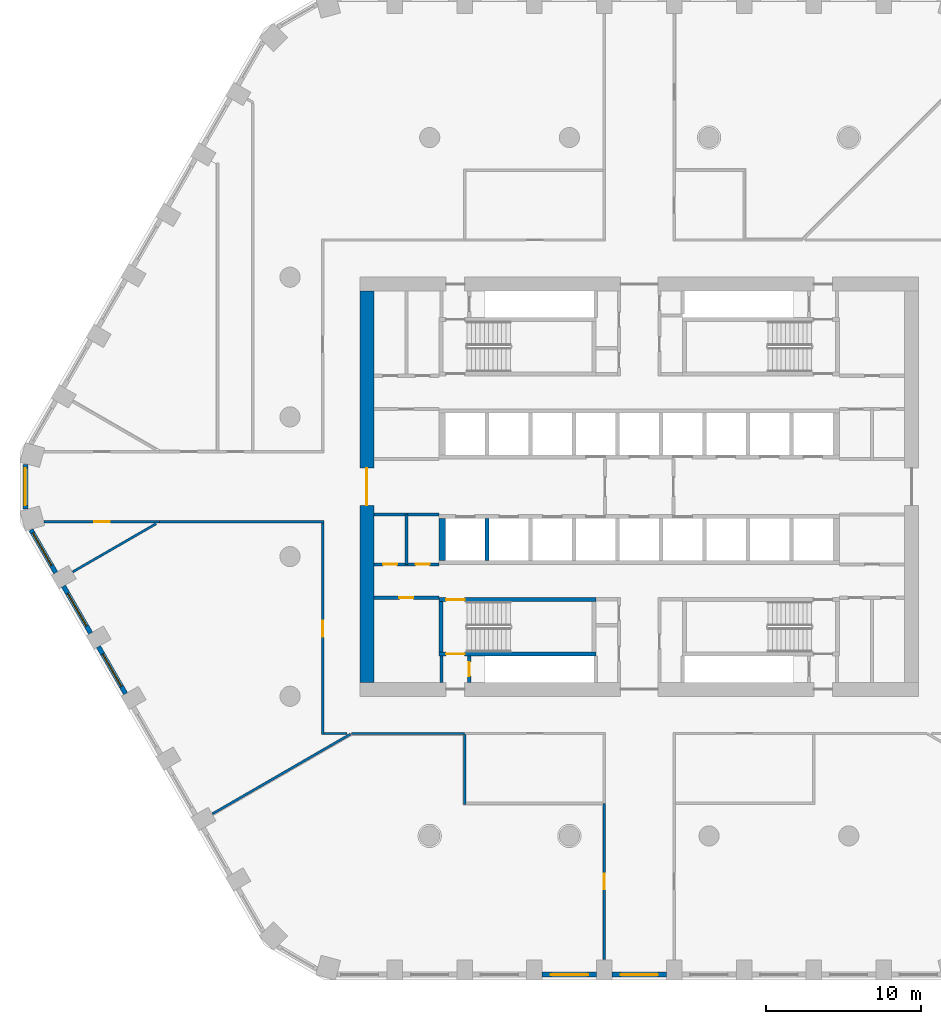
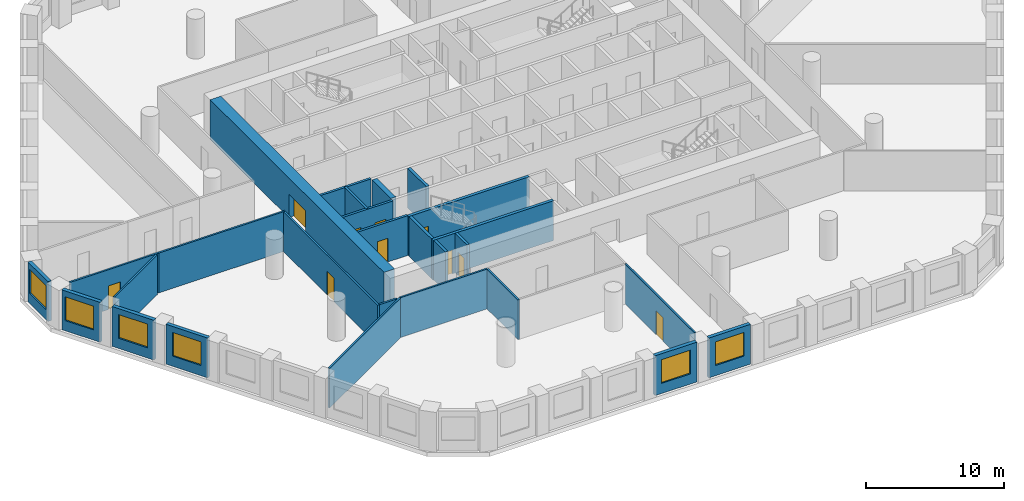
# One storey, part 2 of 14: 27 walls, 10 doors, 6 windows, 16 openings.
"""IFC4 building model written with IfcOpenShell, lengths in metres."""

from ifc_helpers import new_model, si_unit, direction, frame, frame_2d, origin, place, context, subcontext, project, spatial, polyline, rectangle, outline, extrude, material, layer, layer_set, type_object, element, fill, save


model = new_model("IFC4")

# Units and contexts
model_context = context("Model", 3, precision=1e-05, world=origin(), true_north=direction((0.0, 1.0)))
body_context = subcontext(model_context, "Body", "Model", "MODEL_VIEW")
ifc_project = project(units=[si_unit("LENGTHUNIT", "METRE"), si_unit("AREAUNIT", "SQUARE_METRE"), si_unit("VOLUMEUNIT", "CUBIC_METRE"), si_unit("PLANEANGLEUNIT", "RADIAN"), si_unit("MASSUNIT", "GRAM", prefix="KILO")], contexts=[model_context])

# Site, building, storey
site_placement = place(None, origin())
site = spatial("IfcSite", under=ifc_project, at=site_placement, CompositionType="ELEMENT")
building_placement = place(site_placement, origin())
building = spatial("IfcBuilding", under=site, at=building_placement, Name="Dhurran Vertical Campus", CompositionType="ELEMENT")
storey_placement = place(building_placement, frame((0.0, 0.0, 93.0)))
storey = spatial("IfcBuildingStorey", under=building, at=storey_placement, Name="L22", CompositionType="ELEMENT", Elevation=93.0)

# Wall, opening, window
ifc_material_1 = material(Name="Precast concrete C50/60", Category="concrete")
ifc_layer_1 = layer(ifc_material_1, 0.300048828125)
ifc_layer_set_1 = layer_set([ifc_layer_1], Name="Precast concrete C50/60")
wall_type_1 = type_object("IfcWallType", Name="Precast spandrel wall 300", PredefinedType="SOLIDWALL", material=ifc_layer_set_1)
wall_1_placement = place(storey_placement, frame((-6.24951171875, -31.4296875, 0.0), z_axis=(0.0, 0.0, 1.0), x_axis=(1.0, 0.0, 0.0)))
wall_1 = element("IfcWall", 1, at=wall_1_placement, inside=storey, type_object=wall_type_1, Name="EW1 L22.03", PredefinedType="SOLIDWALL", context=body_context, shape_type="SweptSolid", body=[
    extrude(rectangle(XDim=3.4990234375, YDim=0.300048828125, at=frame_2d((1.74951171875, 0.0))), origin(), (0.0, 0.0, 1.0), 3.52490234375),
])
opening_1_placement = place(wall_1_placement, frame((0.549560546875, 0.0, 0.89990234375)))
opening_1 = element("IfcOpeningElement", 2, at=opening_1_placement, cuts=wall_1, Name="Opening WT1", PredefinedType="OPENING", context=body_context, shape_type="SweptSolid", body=[
    extrude(rectangle(XDim=2.39990234375, YDim=2.10009765625, at=frame_2d((1.199951171875, 1.050048828125))), frame((0.0, 0.159912109375, 0.0), z_axis=(0.0, -1.0, 0.0), x_axis=(1.0, 0.0, 0.0)), (0.0, 0.0, 1.0), 0.320068359375),
])
ifc_material_2 = material(Name="Aluminium frame with solar-control glass", Category="aluminium")
window_type = type_object("IfcWindowType", Name="Punched window 2400 x 2100", PartitioningType="SINGLE_PANEL", PredefinedType="WINDOW", material=ifc_material_2)
window_1_placement = place(opening_1_placement, origin())
window_1 = element("IfcWindow", 3, at=window_1_placement, inside=storey, type_object=window_type, Name="WT1 L22.03", OverallHeight=2.10009765625, OverallWidth=2.39990234375, PartitioningType="SINGLE_PANEL", PredefinedType="WINDOW", context=body_context, shape_type="SweptSolid", body=[
    extrude(rectangle(XDim=2.39990234375, YDim=2.10009765625, at=frame_2d((1.199951171875, 1.050048828125))), frame((0.0, 0.030029296875, 0.0), z_axis=(0.0, -1.0, 0.0), x_axis=(1.0, 0.0, 0.0)), (0.0, 0.0, 1.0), 0.06005859375),
])
fill(opening_1, window_1)

wall_2_placement = place(storey_placement, frame((-1.74951171875, -31.4296875, 0.0), z_axis=(0.0, 0.0, 1.0), x_axis=(1.0, 0.0, 0.0)))
wall_2 = element("IfcWall", 4, at=wall_2_placement, inside=storey, type_object=wall_type_1, Name="EW1 L22.04", PredefinedType="SOLIDWALL", context=body_context, shape_type="SweptSolid", body=[
    extrude(rectangle(XDim=3.4990234375, YDim=0.300048828125, at=frame_2d((1.74951171875, 0.0))), origin(), (0.0, 0.0, 1.0), 3.52490234375),
])
opening_2_placement = place(wall_2_placement, frame((0.549560546875, 0.0, 0.89990234375)))
opening_2 = element("IfcOpeningElement", 5, at=opening_2_placement, cuts=wall_2, Name="Opening WT1", PredefinedType="OPENING", context=body_context, shape_type="SweptSolid", body=[
    extrude(rectangle(XDim=2.39990234375, YDim=2.10009765625, at=frame_2d((1.199951171875, 1.050048828125))), frame((0.0, 0.159912109375, 0.0), z_axis=(0.0, -1.0, 0.0), x_axis=(1.0, 0.0, 0.0)), (0.0, 0.0, 1.0), 0.320068359375),
])
window_2_placement = place(opening_2_placement, origin())
window_2 = element("IfcWindow", 6, at=window_2_placement, inside=storey, type_object=window_type, Name="WT1 L22.04", OverallHeight=2.10009765625, OverallWidth=2.39990234375, PartitioningType="SINGLE_PANEL", PredefinedType="WINDOW", context=body_context, shape_type="SweptSolid", body=[
    extrude(rectangle(XDim=2.39990234375, YDim=2.10009765625, at=frame_2d((1.199951171875, 1.050048828125))), frame((0.0, 0.030029296875, 0.0), z_axis=(0.0, -1.0, 0.0), x_axis=(1.0, 0.0, 0.0)), (0.0, 0.0, 1.0), 0.06005859375),
])
fill(opening_2, window_2)

wall_3_placement = place(storey_placement, frame((-39.547119140625, 1.44287109375, 0.0), z_axis=(0.0, 0.0, 1.0), x_axis=(0.0, -1.0, 0.0)))
wall_3 = element("IfcWall", 7, at=wall_3_placement, inside=storey, type_object=wall_type_1, Name="EW1 L22.43", PredefinedType="SOLIDWALL", context=body_context, shape_type="SweptSolid", body=[
    extrude(rectangle(XDim=2.8857421875, YDim=0.300048828125, at=frame_2d((1.44287109375, 0.0))), origin(), (0.0, 0.0, 1.0), 3.52490234375),
])
opening_3_placement = place(wall_3_placement, frame((0.242919921875, 0.0, 0.89990234375)))
opening_3 = element("IfcOpeningElement", 8, at=opening_3_placement, cuts=wall_3, Name="Opening WT1", PredefinedType="OPENING", context=body_context, shape_type="SweptSolid", body=[
    extrude(rectangle(XDim=2.39990234375, YDim=2.10009765625, at=frame_2d((1.199951171875, 1.050048828125))), frame((0.0, 0.159912109375, 0.0), z_axis=(0.0, -1.0, 0.0), x_axis=(1.0, 0.0, 0.0)), (0.0, 0.0, 1.0), 0.320068359375),
])
window_3_placement = place(opening_3_placement, origin())
window_3 = element("IfcWindow", 9, at=window_3_placement, inside=storey, type_object=window_type, Name="WT1 L22.43", OverallHeight=2.10009765625, OverallWidth=2.39990234375, PartitioningType="SINGLE_PANEL", PredefinedType="WINDOW", context=body_context, shape_type="SweptSolid", body=[
    extrude(rectangle(XDim=2.39990234375, YDim=2.10009765625, at=frame_2d((1.199951171875, 1.050048828125))), frame((0.0, 0.030029296875, 0.0), z_axis=(0.0, -1.0, 0.0), x_axis=(1.0, 0.0, 0.0)), (0.0, 0.0, 1.0), 0.06005859375),
])
fill(opening_3, window_3)

wall_4_placement = place(storey_placement, frame((-39.1904296875, -2.774169921875, 0.0), z_axis=(0.0, 0.0, 1.0), x_axis=(0.500004907028, -0.866022570692, 0.0)))
wall_4 = element("IfcWall", 10, at=wall_4_placement, inside=storey, type_object=wall_type_1, Name="EW1 L22.44", PredefinedType="SOLIDWALL", context=body_context, shape_type="SweptSolid", body=[
    extrude(rectangle(XDim=3.1923828125, YDim=0.300048828125, at=frame_2d((1.59619140625, 0.0))), origin(), (0.0, 0.0, 1.0), 3.52490234375),
])
opening_4_placement = place(wall_4_placement, frame((0.242919921875, 0.0, 0.89990234375)))
opening_4 = element("IfcOpeningElement", 11, at=opening_4_placement, cuts=wall_4, Name="Opening WT1", PredefinedType="OPENING", context=body_context, shape_type="SweptSolid", body=[
    extrude(rectangle(XDim=2.39990234375, YDim=2.10009765625, at=frame_2d((1.199951171875, 1.050048828125))), frame((0.0, 0.159912109375, 0.0), z_axis=(0.0, -1.0, 0.0), x_axis=(1.0, 0.0, 0.0)), (0.0, 0.0, 1.0), 0.320068359375),
])
window_4_placement = place(opening_4_placement, origin())
window_4 = element("IfcWindow", 12, at=window_4_placement, inside=storey, type_object=window_type, Name="WT1 L22.44", OverallHeight=2.10009765625, OverallWidth=2.39990234375, PartitioningType="SINGLE_PANEL", PredefinedType="WINDOW", context=body_context, shape_type="SweptSolid", body=[
    extrude(rectangle(XDim=2.39990234375, YDim=2.10009765625, at=frame_2d((1.199951171875, 1.050048828125))), frame((0.0, 0.030029296875, 0.0), z_axis=(0.0, -1.0, 0.0), x_axis=(1.0, 0.0, 0.0)), (0.0, 0.0, 1.0), 0.06005859375),
])
fill(opening_4, window_4)

wall_5_placement = place(storey_placement, frame((-37.09375, -6.405517578125, 0.0), z_axis=(0.0, 0.0, 1.0), x_axis=(0.499996256241, -0.866027565234, 0.0)))
wall_5 = element("IfcWall", 13, at=wall_5_placement, inside=storey, type_object=wall_type_1, Name="EW1 L22.45", PredefinedType="SOLIDWALL", context=body_context, shape_type="SweptSolid", body=[
    extrude(rectangle(XDim=3.4990234375, YDim=0.300048828125, at=frame_2d((1.74951171875, 0.0))), origin(), (0.0, 0.0, 1.0), 3.52490234375),
])
opening_5_placement = place(wall_5_placement, frame((0.549560546875, 0.0, 0.89990234375)))
opening_5 = element("IfcOpeningElement", 14, at=opening_5_placement, cuts=wall_5, Name="Opening WT1", PredefinedType="OPENING", context=body_context, shape_type="SweptSolid", body=[
    extrude(rectangle(XDim=2.39990234375, YDim=2.10009765625, at=frame_2d((1.199951171875, 1.050048828125))), frame((0.0, 0.159912109375, 0.0), z_axis=(0.0, -1.0, 0.0), x_axis=(1.0, 0.0, 0.0)), (0.0, 0.0, 1.0), 0.320068359375),
])
window_5_placement = place(opening_5_placement, origin())
window_5 = element("IfcWindow", 15, at=window_5_placement, inside=storey, type_object=window_type, Name="WT1 L22.45", OverallHeight=2.10009765625, OverallWidth=2.39990234375, PartitioningType="SINGLE_PANEL", PredefinedType="WINDOW", context=body_context, shape_type="SweptSolid", body=[
    extrude(rectangle(XDim=2.39990234375, YDim=2.10009765625, at=frame_2d((1.199951171875, 1.050048828125))), frame((0.0, 0.030029296875, 0.0), z_axis=(0.0, -1.0, 0.0), x_axis=(1.0, 0.0, 0.0)), (0.0, 0.0, 1.0), 0.06005859375),
])
fill(opening_5, window_5)

wall_6_placement = place(storey_placement, frame((-34.84375, -10.302734375, 0.0), z_axis=(0.0, 0.0, 1.0), x_axis=(0.499996256241, -0.866027565234, 0.0)))
wall_6 = element("IfcWall", 16, at=wall_6_placement, inside=storey, type_object=wall_type_1, Name="EW1 L22.46", PredefinedType="SOLIDWALL", context=body_context, shape_type="SweptSolid", body=[
    extrude(rectangle(XDim=3.4990234375, YDim=0.300048828125, at=frame_2d((1.74951171875, 0.0))), origin(), (0.0, 0.0, 1.0), 3.52490234375),
])
opening_6_placement = place(wall_6_placement, frame((0.549560546875, 0.0, 0.89990234375)))
opening_6 = element("IfcOpeningElement", 17, at=opening_6_placement, cuts=wall_6, Name="Opening WT1", PredefinedType="OPENING", context=body_context, shape_type="SweptSolid", body=[
    extrude(rectangle(XDim=2.39990234375, YDim=2.10009765625, at=frame_2d((1.199951171875, 1.050048828125))), frame((0.0, 0.159912109375, 0.0), z_axis=(0.0, -1.0, 0.0), x_axis=(1.0, 0.0, 0.0)), (0.0, 0.0, 1.0), 0.320068359375),
])
window_6_placement = place(opening_6_placement, origin())
window_6 = element("IfcWindow", 18, at=window_6_placement, inside=storey, type_object=window_type, Name="WT1 L22.46", OverallHeight=2.10009765625, OverallWidth=2.39990234375, PartitioningType="SINGLE_PANEL", PredefinedType="WINDOW", context=body_context, shape_type="SweptSolid", body=[
    extrude(rectangle(XDim=2.39990234375, YDim=2.10009765625, at=frame_2d((1.199951171875, 1.050048828125))), frame((0.0, 0.030029296875, 0.0), z_axis=(0.0, -1.0, 0.0), x_axis=(1.0, 0.0, 0.0)), (0.0, 0.0, 1.0), 0.06005859375),
])
fill(opening_6, window_6)

# Wall, opening, door
ifc_material_3 = material(Name="Concrete C60/75", Category="concrete")
ifc_layer_2 = layer(ifc_material_3, 0.89990234375)
ifc_layer_set_2 = layer_set([ifc_layer_2], Name="Concrete C60/75")
wall_type_2 = type_object("IfcWallType", Name="co-CORE-WALL-C0-900", PredefinedType="SHEAR", material=ifc_layer_set_2)
wall_7_placement = place(storey_placement, frame((-17.550048828125, -12.60009765625, 0.0), z_axis=(0.0, 0.0, 1.0), x_axis=(0.0, 1.0, 0.0)))
wall_7 = element("IfcWall", 19, at=wall_7_placement, inside=storey, type_object=wall_type_2, Name="Core wall W L22", PredefinedType="SHEAR", context=body_context, shape_type="SweptSolid", body=[
    extrude(rectangle(XDim=25.2001953125, YDim=0.89990234375, at=frame_2d((12.60009765625, 0.0))), origin(), (0.0, 0.0, 1.0), 3.52490234375),
])
opening_7_placement = place(wall_7_placement, frame((11.39990234375, 0.0, 0.0)))
opening_7 = element("IfcOpeningElement", 20, at=opening_7_placement, cuts=wall_7, Name="Opening CL1", PredefinedType="OPENING", context=body_context, shape_type="SweptSolid", body=[
    extrude(rectangle(XDim=2.39990234375, YDim=2.10009765625, at=frame_2d((1.199951171875, 1.050048828125))), frame((0.0, 0.4599609375, 0.0), z_axis=(0.0, -1.0, 0.0), x_axis=(1.0, 0.0, 0.0)), (0.0, 0.0, 1.0), 0.919921875),
])
ifc_material_4 = material(Name="Fire-rated glazed door set")
door_type_1 = type_object("IfcDoorType", Name="co-D-LOBBY 2400x2100", OperationType="DOUBLE_DOOR_DOUBLE_SWING", PredefinedType="DOOR", material=ifc_material_4)
door_1_placement = place(opening_7_placement, origin())
door_1 = element("IfcDoor", 21, at=door_1_placement, inside=storey, type_object=door_type_1, Name="Lift lobby door W L22", OperationType="DOUBLE_DOOR_DOUBLE_SWING", OverallHeight=2.10009765625, OverallWidth=2.39990234375, PredefinedType="DOOR", context=body_context, shape_type="SweptSolid", body=[
    extrude(rectangle(XDim=2.39990234375, YDim=2.10009765625, at=frame_2d((1.199951171875, 1.050048828125))), frame((0.0, 0.02490234375, 0.0), z_axis=(0.0, -1.0, 0.0), x_axis=(1.0, 0.0, 0.0)), (0.0, 0.0, 1.0), 0.050048828125),
])
fill(opening_7, door_1)

# Wall
ifc_material_5 = material(Name="Fire-rated masonry blockwork", Category="masonry")
ifc_layer_3 = layer(ifc_material_5, 0.199951171875)
ifc_layer_set_3 = layer_set([ifc_layer_3], Name="Fire-rated masonry blockwork")
wall_type_3 = type_object("IfcWallType", Name="co-FIRE-PARTITION-200", PredefinedType="PARTITIONING", material=ifc_layer_set_3)
wall_8_placement = place(storey_placement, frame((-12.75, -12.60009765625, 0.0), z_axis=(0.0, 0.0, 1.0), x_axis=(0.0, 1.0, 0.0)))
element("IfcWall", 22, at=wall_8_placement, inside=storey, type_object=wall_type_3, Name="Core partition pass-ST3-o L22", PredefinedType="PARTITIONING", context=body_context, shape_type="SweptSolid", body=[
    extrude(rectangle(XDim=1.7001953125, YDim=0.199951171875, at=frame_2d((0.85009765625, 0.0))), origin(), (0.0, 0.0, 1.0), 3.52490234375),
])

# Wall, opening, door
wall_9_placement = place(storey_placement, frame((-10.949951171875, -12.60009765625, 0.0), z_axis=(0.0, 0.0, 1.0), x_axis=(0.0, 1.0, 0.0)))
wall_9 = element("IfcWall", 23, at=wall_9_placement, inside=storey, type_object=wall_type_3, Name="Core partition pass-ST3-i L22", PredefinedType="PARTITIONING", context=body_context, shape_type="SweptSolid", body=[
    extrude(rectangle(XDim=1.7001953125, YDim=0.199951171875, at=frame_2d((0.85009765625, 0.0))), origin(), (0.0, 0.0, 1.0), 3.52490234375),
])
opening_8_placement = place(wall_9_placement, frame((0.39990234375, 0.0, 0.0)))
opening_8 = element("IfcOpeningElement", 24, at=opening_8_placement, cuts=wall_9, Name="Opening T06-C10", PredefinedType="OPENING", context=body_context, shape_type="SweptSolid", body=[
    extrude(rectangle(XDim=0.89990234375, YDim=2.10009765625, at=frame_2d((0.449951171875, 1.050048828125))), frame((0.0, 0.10986328125, 0.0), z_axis=(0.0, -1.0, 0.0), x_axis=(1.0, 0.0, 0.0)), (0.0, 0.0, 1.0), 0.219970703125),
])
ifc_material_6 = material(Name="Fire-rated timber door set", Category="wood")
door_type_2 = type_object("IfcDoorType", Name="co-D-ROOM 900x2100", OperationType="SINGLE_SWING_LEFT", PredefinedType="DOOR", material=ifc_material_6)
door_2_placement = place(opening_8_placement, origin())
door_2 = element("IfcDoor", 25, at=door_2_placement, inside=storey, type_object=door_type_2, Name="Riser room door L22", OperationType="SINGLE_SWING_LEFT", OverallHeight=2.10009765625, OverallWidth=0.89990234375, PredefinedType="DOOR", context=body_context, shape_type="SweptSolid", body=[
    extrude(rectangle(XDim=0.89990234375, YDim=2.10009765625, at=frame_2d((0.449951171875, 1.050048828125))), frame((0.0, 0.02490234375, 0.0), z_axis=(0.0, -1.0, 0.0), x_axis=(1.0, 0.0, 0.0)), (0.0, 0.0, 1.0), 0.050048828125),
])
fill(opening_8, door_2)

wall_10_placement = place(storey_placement, frame((-17.10009765625, -7.14990234375, 0.0), z_axis=(0.0, 0.0, 1.0), x_axis=(1.0, 0.0, 0.0)))
wall_10 = element("IfcWall", 26, at=wall_10_placement, inside=storey, type_object=wall_type_3, Name="Core partition en-SW-w L22", PredefinedType="PARTITIONING", context=body_context, shape_type="SweptSolid", body=[
    extrude(rectangle(XDim=4.2001953125, YDim=0.199951171875, at=frame_2d((2.10009765625, 0.0))), origin(), (0.0, 0.0, 1.0), 3.52490234375),
])
opening_9_placement = place(wall_10_placement, frame((1.64990234375, 0.0, 0.0)))
opening_9 = element("IfcOpeningElement", 27, at=opening_9_placement, cuts=wall_10, Name="Opening T06-C18", PredefinedType="OPENING", context=body_context, shape_type="SweptSolid", body=[
    extrude(rectangle(XDim=0.89990234375, YDim=2.10009765625, at=frame_2d((0.449951171875, 1.050048828125))), frame((0.0, 0.10986328125, 0.0), z_axis=(0.0, -1.0, 0.0), x_axis=(1.0, 0.0, 0.0)), (0.0, 0.0, 1.0), 0.219970703125),
])
door_3_placement = place(opening_9_placement, origin())
door_3 = element("IfcDoor", 28, at=door_3_placement, inside=storey, type_object=door_type_2, Name="Server room door L22", OperationType="SINGLE_SWING_LEFT", OverallHeight=2.10009765625, OverallWidth=0.89990234375, PredefinedType="DOOR", context=body_context, shape_type="SweptSolid", body=[
    extrude(rectangle(XDim=0.89990234375, YDim=2.10009765625, at=frame_2d((0.449951171875, 1.050048828125))), frame((0.0, 0.02490234375, 0.0), z_axis=(0.0, -1.0, 0.0), x_axis=(1.0, 0.0, 0.0)), (0.0, 0.0, 1.0), 0.050048828125),
])
fill(opening_9, door_3)

# Wall
wall_11_placement = place(storey_placement, frame((-15.0, -5.0, 0.0), z_axis=(0.0, 0.0, 1.0), x_axis=(0.0, 1.0, 0.0)))
element("IfcWall", 29, at=wall_11_placement, inside=storey, type_object=wall_type_3, Name="Core partition es-SW-cut0 L22", PredefinedType="PARTITIONING", context=body_context, shape_type="SweptSolid", body=[
    extrude(rectangle(XDim=3.199951171875, YDim=0.199951171875, at=frame_2d((1.60009765625, 0.0))), origin(), (0.0, 0.0, 1.0), 3.52490234375),
])

# Wall, openings, doors
wall_12_placement = place(storey_placement, frame((-17.10009765625, -5.0, 0.0), z_axis=(0.0, 0.0, 1.0), x_axis=(1.0, 0.0, 0.0)))
wall_12 = element("IfcWall", 30, at=wall_12_placement, inside=storey, type_object=wall_type_3, Name="Core partition es-SW-w L22", PredefinedType="PARTITIONING", context=body_context, shape_type="SweptSolid", body=[
    extrude(rectangle(XDim=4.2001953125, YDim=0.199951171875, at=frame_2d((2.10009765625, 0.0))), origin(), (0.0, 0.0, 1.0), 3.52490234375),
])
opening_10_placement = place(wall_12_placement, frame((0.60009765625, 0.0, 0.0)))
opening_10 = element("IfcOpeningElement", 31, at=opening_10_placement, cuts=wall_12, Name="Opening T06-C19", PredefinedType="OPENING", context=body_context, shape_type="SweptSolid", body=[
    extrude(rectangle(XDim=0.89990234375, YDim=2.10009765625, at=frame_2d((0.449951171875, 1.050048828125))), frame((0.0, 0.10986328125, 0.0), z_axis=(0.0, -1.0, 0.0), x_axis=(1.0, 0.0, 0.0)), (0.0, 0.0, 1.0), 0.219970703125),
])
opening_11_placement = place(wall_12_placement, frame((2.699951171875, 0.0, 0.0)))
opening_11 = element("IfcOpeningElement", 32, at=opening_11_placement, cuts=wall_12, Name="Opening T06-C20", PredefinedType="OPENING", context=body_context, shape_type="SweptSolid", body=[
    extrude(rectangle(XDim=0.89990234375, YDim=2.10009765625, at=frame_2d((0.449951171875, 1.050048828125))), frame((0.0, 0.10986328125, 0.0), z_axis=(0.0, -1.0, 0.0), x_axis=(1.0, 0.0, 0.0)), (0.0, 0.0, 1.0), 0.219970703125),
])
door_4_placement = place(opening_10_placement, origin())
door_4 = element("IfcDoor", 33, at=door_4_placement, inside=storey, type_object=door_type_2, Name="Pantry door L22", OperationType="SINGLE_SWING_LEFT", OverallHeight=2.10009765625, OverallWidth=0.89990234375, PredefinedType="DOOR", context=body_context, shape_type="SweptSolid", body=[
    extrude(rectangle(XDim=0.89990234375, YDim=2.10009765625, at=frame_2d((0.449951171875, 1.050048828125))), frame((0.0, 0.02490234375, 0.0), z_axis=(0.0, -1.0, 0.0), x_axis=(1.0, 0.0, 0.0)), (0.0, 0.0, 1.0), 0.050048828125),
])
fill(opening_10, door_4)
door_5_placement = place(opening_11_placement, origin())
door_5 = element("IfcDoor", 34, at=door_5_placement, inside=storey, type_object=door_type_2, Name="Housekeeping store door L22", OperationType="SINGLE_SWING_LEFT", OverallHeight=2.10009765625, OverallWidth=0.89990234375, PredefinedType="DOOR", context=body_context, shape_type="SweptSolid", body=[
    extrude(rectangle(XDim=0.89990234375, YDim=2.10009765625, at=frame_2d((0.449951171875, 1.050048828125))), frame((0.0, 0.02490234375, 0.0), z_axis=(0.0, -1.0, 0.0), x_axis=(1.0, 0.0, 0.0)), (0.0, 0.0, 1.0), 0.050048828125),
])
fill(opening_11, door_5)

# Walls
wall_13_placement = place(storey_placement, frame((-17.10009765625, -1.800048828125, 0.0), z_axis=(0.0, 0.0, 1.0), x_axis=(1.0, 0.0, 0.0)))
element("IfcWall", 35, at=wall_13_placement, inside=storey, type_object=wall_type_3, Name="Core partition es-SW-l L22", PredefinedType="PARTITIONING", context=body_context, shape_type="SweptSolid", body=[
    extrude(rectangle(XDim=4.2001953125, YDim=0.199951171875, at=frame_2d((2.10009765625, 0.0))), origin(), (0.0, 0.0, 1.0), 3.52490234375),
])
ifc_material_7 = material(Name="Concrete C50/60", Category="concrete")
ifc_layer_4 = layer(ifc_material_7, 0.25)
ifc_layer_set_4 = layer_set([ifc_layer_4], Name="Concrete C50/60")
wall_type_4 = type_object("IfcWallType", Name="co-SHAFT-MASS-250", PredefinedType="SHEAR", material=ifc_layer_set_4)
wall_14_placement = place(storey_placement, origin())
element("IfcWall", 36, at=wall_14_placement, inside=storey, type_object=wall_type_4, Name="Lift shaft wall S L22 2", PredefinedType="SHEAR", context=body_context, shape_type="SweptSolid", body=[
    extrude(outline(polyline([(-12.89990234375, -4.75), (-12.47509765625, -4.75), (-12.47509765625, -2.050048828125), (-12.89990234375, -2.050048828125), (-12.89990234375, -4.75)])), origin(), (0.0, 0.0, 1.0), 3.52490234375),
])
wall_15_placement = place(storey_placement, origin())
element("IfcWall", 37, at=wall_15_placement, inside=storey, type_object=wall_type_4, Name="Lift shaft wall S L22 3", PredefinedType="SHEAR", context=body_context, shape_type="SweptSolid", body=[
    extrude(outline(polyline([(-9.925048828125, -4.75), (-9.675048828125, -4.75), (-9.675048828125, -2.050048828125), (-9.925048828125, -2.050048828125), (-9.925048828125, -4.75)])), origin(), (0.0, 0.0, 1.0), 3.52490234375),
])

# Wall, opening, door
ifc_material_8 = material(Name="Concrete C40/50", Category="concrete")
ifc_layer_5 = layer(ifc_material_8, 0.25)
ifc_layer_set_5 = layer_set([ifc_layer_5], Name="Concrete C40/50")
wall_type_5 = type_object("IfcWallType", Name="co-STAIR-WALL-250", PredefinedType="SHEAR", material=ifc_layer_set_5)
wall_16_placement = place(storey_placement, frame((-12.89990234375, -10.77490234375, 0.0), z_axis=(0.0, 0.0, 1.0), x_axis=(1.0, 0.0, 0.0)))
wall_16 = element("IfcWall", 38, at=wall_16_placement, inside=storey, type_object=wall_type_5, Name="Stair ST3 enclosure wall L22", PredefinedType="SHEAR", context=body_context, shape_type="SweptSolid", body=[
    extrude(rectangle(XDim=10.099853515625, YDim=0.25, at=frame_2d((5.0498046875, 0.0))), origin(), (0.0, 0.0, 1.0), 3.52490234375),
])
opening_12_placement = place(wall_16_placement, frame((0.449951171875, 0.0, 0.0)))
opening_12 = element("IfcOpeningElement", 39, at=opening_12_placement, cuts=wall_16, Name="Opening XS3", PredefinedType="OPENING", context=body_context, shape_type="SweptSolid", body=[
    extrude(rectangle(XDim=1.199951171875, YDim=2.10009765625, at=frame_2d((0.60009765625, 1.050048828125))), frame((0.0, 0.135009765625, 0.0), z_axis=(0.0, -1.0, 0.0), x_axis=(1.0, 0.0, 0.0)), (0.0, 0.0, 1.0), 0.27001953125),
])
ifc_material_9 = material(Name="Fire-rated steel door set", Category="steel")
door_type_3 = type_object("IfcDoorType", Name="co-D-STAIR-EXIT 1200x2100", OperationType="SINGLE_SWING_RIGHT", PredefinedType="DOOR", material=ifc_material_9)
door_6_placement = place(opening_12_placement, origin())
door_6 = element("IfcDoor", 40, at=door_6_placement, inside=storey, type_object=door_type_3, Name="Stair ST3 discharge door L22", OperationType="SINGLE_SWING_RIGHT", OverallHeight=2.10009765625, OverallWidth=1.199951171875, PredefinedType="DOOR", context=body_context, shape_type="SweptSolid", body=[
    extrude(rectangle(XDim=1.199951171875, YDim=2.10009765625, at=frame_2d((0.60009765625, 1.050048828125))), frame((0.0, 0.02490234375, 0.0), z_axis=(0.0, -1.0, 0.0), x_axis=(1.0, 0.0, 0.0)), (0.0, 0.0, 1.0), 0.050048828125),
])
fill(opening_12, door_6)

wall_17_placement = place(storey_placement, frame((-12.89990234375, -7.27490234375, 0.0), z_axis=(0.0, 0.0, 1.0), x_axis=(1.0, 0.0, 0.0)))
wall_17 = element("IfcWall", 41, at=wall_17_placement, inside=storey, type_object=wall_type_5, Name="Stair ST3 enclosure wall L22", PredefinedType="SHEAR", context=body_context, shape_type="SweptSolid", body=[
    extrude(rectangle(XDim=10.099853515625, YDim=0.25, at=frame_2d((5.0498046875, 0.0))), origin(), (0.0, 0.0, 1.0), 3.52490234375),
])
opening_13_placement = place(wall_17_placement, frame((0.449951171875, 0.0, 0.0)))
opening_13 = element("IfcOpeningElement", 42, at=opening_13_placement, cuts=wall_17, Name="Opening SD3", PredefinedType="OPENING", context=body_context, shape_type="SweptSolid", body=[
    extrude(rectangle(XDim=1.199951171875, YDim=2.10009765625, at=frame_2d((0.60009765625, 1.050048828125))), frame((0.0, 0.135009765625, 0.0), z_axis=(0.0, -1.0, 0.0), x_axis=(1.0, 0.0, 0.0)), (0.0, 0.0, 1.0), 0.27001953125),
])
ifc_material_10 = material(Name="Fire-rated steel door set", Category="steel")
door_type_4 = type_object("IfcDoorType", Name="co-D-STAIR 1200x2100", OperationType="SINGLE_SWING_LEFT", PredefinedType="DOOR", material=ifc_material_10)
door_7_placement = place(opening_13_placement, origin())
door_7 = element("IfcDoor", 43, at=door_7_placement, inside=storey, type_object=door_type_4, Name="Stair ST3 door L22", OperationType="SINGLE_SWING_LEFT", OverallHeight=2.10009765625, OverallWidth=1.199951171875, PredefinedType="DOOR", context=body_context, shape_type="SweptSolid", body=[
    extrude(rectangle(XDim=1.199951171875, YDim=2.10009765625, at=frame_2d((0.60009765625, 1.050048828125))), frame((0.0, 0.02490234375, 0.0), z_axis=(0.0, -1.0, 0.0), x_axis=(1.0, 0.0, 0.0)), (0.0, 0.0, 1.0), 0.050048828125),
])
fill(opening_13, door_7)

# Wall
wall_18_placement = place(storey_placement, frame((-12.77490234375, -10.64990234375, 0.0), z_axis=(0.0, 0.0, 1.0), x_axis=(0.0, 1.0, 0.0)))
element("IfcWall", 44, at=wall_18_placement, inside=storey, type_object=wall_type_5, Name="Stair ST3 enclosure wall L22", PredefinedType="SHEAR", context=body_context, shape_type="SweptSolid", body=[
    extrude(rectangle(XDim=3.25, YDim=0.25, at=frame_2d((1.625, 0.0))), origin(), (0.0, 0.0, 1.0), 3.52490234375),
])

# Wall, opening, door
ifc_material_11 = material(Name="Gypsum board corridor wall on steel studs", Category="steel")
ifc_layer_6 = layer(ifc_material_11, 0.14990234375)
ifc_layer_set_6 = layer_set([ifc_layer_6], Name="Gypsum board corridor wall on steel studs")
wall_type_6 = type_object("IfcWallType", Name="fl-CW-150 corridor wall", PredefinedType="PARTITIONING", material=ifc_layer_set_6)
wall_19_placement = place(storey_placement, frame((-30.89697265625, -2.25, 0.0), z_axis=(0.0, 0.0, 1.0), x_axis=(-1.0, 0.0, 0.0)))
wall_19 = element("IfcWall", 45, at=wall_19_placement, inside=storey, type_object=wall_type_6, Name="Partition 22-01", PredefinedType="PARTITIONING", context=body_context, shape_type="SweptSolid", body=[
    extrude(rectangle(XDim=7.453125, YDim=0.14990234375, at=frame_2d((3.7265625, 0.0))), origin(), (0.0, 0.0, 1.0), 3.52490234375),
])
opening_14_placement = place(wall_19_placement, frame((3.2265625, 0.0, 0.0)))
opening_14 = element("IfcOpeningElement", 46, at=opening_14_placement, cuts=wall_19, Name="Opening T06.01", PredefinedType="OPENING", context=body_context, shape_type="SweptSolid", body=[
    extrude(rectangle(XDim=1.0, YDim=2.10009765625, at=frame_2d((0.5, 1.050048828125))), frame((0.0, 0.0849609375, 0.0), z_axis=(0.0, -1.0, 0.0), x_axis=(1.0, 0.0, 0.0)), (0.0, 0.0, 1.0), 0.169921875),
])
ifc_material_12 = material(Name="Solid-core timber door set, fire-rated", Category="wood")
door_type_5 = type_object("IfcDoorType", Name="fl-D-1000x2100", OperationType="SINGLE_SWING_LEFT", PredefinedType="DOOR", material=ifc_material_12)
door_8_placement = place(opening_14_placement, origin())
door_8 = element("IfcDoor", 47, at=door_8_placement, inside=storey, type_object=door_type_5, Name="Door 22.01", OperationType="SINGLE_SWING_RIGHT", OverallHeight=2.10009765625, OverallWidth=1.0, PredefinedType="DOOR", context=body_context, shape_type="SweptSolid", body=[
    extrude(rectangle(XDim=1.0, YDim=2.10009765625, at=frame_2d((0.5, 1.050048828125))), frame((0.0, 0.02490234375, 0.0), z_axis=(0.0, -1.0, 0.0), x_axis=(1.0, 0.0, 0.0)), (0.0, 0.0, 1.0), 0.050048828125),
])
fill(opening_14, door_8)

# Wall
wall_20_placement = place(storey_placement, frame((-20.324951171875, -2.25, 0.0), z_axis=(0.0, 0.0, 1.0), x_axis=(-1.0, 0.0, 0.0)))
element("IfcWall", 48, at=wall_20_placement, inside=storey, type_object=wall_type_6, Name="Partition 22-05", PredefinedType="PARTITIONING", context=body_context, shape_type="SweptSolid", body=[
    extrude(rectangle(XDim=10.572021484375, YDim=0.14990234375, at=frame_2d((5.2861328125, 0.0))), origin(), (0.0, 0.0, 1.0), 3.52490234375),
])

# Wall, opening, door
wall_21_placement = place(storey_placement, frame((-20.39990234375, -2.324951171875, 0.0), z_axis=(0.0, 0.0, 1.0), x_axis=(0.0, -1.0, 0.0)))
wall_21 = element("IfcWall", 49, at=wall_21_placement, inside=storey, type_object=wall_type_6, Name="Partition 22-13", PredefinedType="PARTITIONING", context=body_context, shape_type="SweptSolid", body=[
    extrude(rectangle(XDim=13.650146484375, YDim=0.14990234375, at=frame_2d((6.8251953125, 0.0))), origin(), (0.0, 0.0, 1.0), 3.52490234375),
])
opening_15_placement = place(wall_21_placement, frame((6.324951171875, 0.0, 0.0)))
opening_15 = element("IfcOpeningElement", 50, at=opening_15_placement, cuts=wall_21, Name="Opening T06.04", PredefinedType="OPENING", context=body_context, shape_type="SweptSolid", body=[
    extrude(rectangle(XDim=1.0, YDim=2.10009765625, at=frame_2d((0.5, 1.050048828125))), frame((0.0, 0.0849609375, 0.0), z_axis=(0.0, -1.0, 0.0), x_axis=(1.0, 0.0, 0.0)), (0.0, 0.0, 1.0), 0.169921875),
])
door_9_placement = place(opening_15_placement, origin())
door_9 = element("IfcDoor", 51, at=door_9_placement, inside=storey, type_object=door_type_5, Name="Door 22.04", OperationType="SINGLE_SWING_RIGHT", OverallHeight=2.10009765625, OverallWidth=1.0, PredefinedType="DOOR", context=body_context, shape_type="SweptSolid", body=[
    extrude(rectangle(XDim=1.0, YDim=2.10009765625, at=frame_2d((0.5, 1.050048828125))), frame((0.0, 0.02490234375, 0.0), z_axis=(0.0, -1.0, 0.0), x_axis=(1.0, 0.0, 0.0)), (0.0, 0.0, 1.0), 0.050048828125),
])
fill(opening_15, door_9)

# Walls
wall_22_placement = place(storey_placement, frame((-20.324951171875, -15.89990234375, 0.0), z_axis=(0.0, 0.0, 1.0), x_axis=(1.0, 0.0, 0.0)))
element("IfcWall", 52, at=wall_22_placement, inside=storey, type_object=wall_type_6, Name="Partition 22-14", PredefinedType="PARTITIONING", context=body_context, shape_type="SweptSolid", body=[
    extrude(rectangle(XDim=1.510009765625, YDim=0.14990234375, at=frame_2d((0.7548828125, 0.0))), origin(), (0.0, 0.0, 1.0), 3.52490234375),
])
wall_23_placement = place(storey_placement, frame((-18.5400390625, -15.89990234375, 0.0), z_axis=(0.0, 0.0, 1.0), x_axis=(1.0, 0.0, 0.0)))
element("IfcWall", 53, at=wall_23_placement, inside=storey, type_object=wall_type_6, Name="Partition 22-17", PredefinedType="PARTITIONING", context=body_context, shape_type="SweptSolid", body=[
    extrude(rectangle(XDim=7.2900390625, YDim=0.14990234375, at=frame_2d((3.64501953125, 0.0))), origin(), (0.0, 0.0, 1.0), 3.52490234375),
])

# Wall, opening, door
wall_24_placement = place(storey_placement, frame((-2.25, -30.459716796875, 0.0), z_axis=(0.0, 0.0, 1.0), x_axis=(0.0, 1.0, 0.0)))
wall_24 = element("IfcWall", 54, at=wall_24_placement, inside=storey, type_object=wall_type_6, Name="Partition 22-24", PredefinedType="PARTITIONING", context=body_context, shape_type="SweptSolid", body=[
    extrude(rectangle(XDim=10.059814453125, YDim=0.14990234375, at=frame_2d((5.02978515625, 0.0))), origin(), (0.0, 0.0, 1.0), 3.52490234375),
])
opening_16_placement = place(wall_24_placement, frame((4.52978515625, 0.0, 0.0)))
opening_16 = element("IfcOpeningElement", 55, at=opening_16_placement, cuts=wall_24, Name="Opening T06.07", PredefinedType="OPENING", context=body_context, shape_type="SweptSolid", body=[
    extrude(rectangle(XDim=1.0, YDim=2.10009765625, at=frame_2d((0.5, 1.050048828125))), frame((0.0, 0.0849609375, 0.0), z_axis=(0.0, -1.0, 0.0), x_axis=(1.0, 0.0, 0.0)), (0.0, 0.0, 1.0), 0.169921875),
])
door_10_placement = place(opening_16_placement, origin())
door_10 = element("IfcDoor", 56, at=door_10_placement, inside=storey, type_object=door_type_5, Name="Door 22.07", OperationType="SINGLE_SWING_LEFT", OverallHeight=2.10009765625, OverallWidth=1.0, PredefinedType="DOOR", context=body_context, shape_type="SweptSolid", body=[
    extrude(rectangle(XDim=1.0, YDim=2.10009765625, at=frame_2d((0.5, 1.050048828125))), frame((0.0, 0.02490234375, 0.0), z_axis=(0.0, -1.0, 0.0), x_axis=(1.0, 0.0, 0.0)), (0.0, 0.0, 1.0), 0.050048828125),
])
fill(opening_16, door_10)

# Walls
ifc_material_13 = material(Name="Gypsum board partition on steel studs", Category="steel")
ifc_layer_7 = layer(ifc_material_13, 0.14990234375)
ifc_layer_set_7 = layer_set([ifc_layer_7], Name="Gypsum board partition on steel studs")
wall_type_7 = type_object("IfcWallType", Name="fl-PW-150 fixed partition", PredefinedType="PARTITIONING", material=ifc_layer_set_7)
wall_25_placement = place(storey_placement, frame((-31.13525390625, -2.387451171875, 0.0), z_axis=(0.0, 0.0, 1.0), x_axis=(-0.866007197923, -0.500031532152, 0.0)))
element("IfcWall", 57, at=wall_25_placement, inside=storey, type_object=wall_type_7, Name="Partition 22-03", PredefinedType="PARTITIONING", context=body_context, shape_type="SweptSolid", body=[
    extrude(rectangle(XDim=6.19921875, YDim=0.14990234375, at=frame_2d((3.099609375, 0.0))), origin(), (0.0, 0.0, 1.0), 3.52490234375),
])
wall_26_placement = place(storey_placement, frame((-18.60498046875, -15.9375, 0.0), z_axis=(0.0, 0.0, 1.0), x_axis=(-0.8659928916, -0.500056308527, 0.0)))
element("IfcWall", 58, at=wall_26_placement, inside=storey, type_object=wall_type_7, Name="Partition 22-07", PredefinedType="PARTITIONING", context=body_context, shape_type="SweptSolid", body=[
    extrude(rectangle(XDim=10.275634765625, YDim=0.14990234375, at=frame_2d((5.1376953125, 0.0))), origin(), (0.0, 0.0, 1.0), 3.52490234375),
])
wall_27_placement = place(storey_placement, frame((-11.25, -15.97509765625, 0.0), z_axis=(0.0, 0.0, 1.0), x_axis=(0.0, -1.0, 0.0)))
element("IfcWall", 59, at=wall_27_placement, inside=storey, type_object=wall_type_7, Name="Partition 22-18", PredefinedType="PARTITIONING", context=body_context, shape_type="SweptSolid", body=[
    extrude(rectangle(XDim=4.5, YDim=0.14990234375, at=frame_2d((2.25, 0.0))), origin(), (0.0, 0.0, 1.0), 3.52490234375),
])

save(model, "model.ifc")
